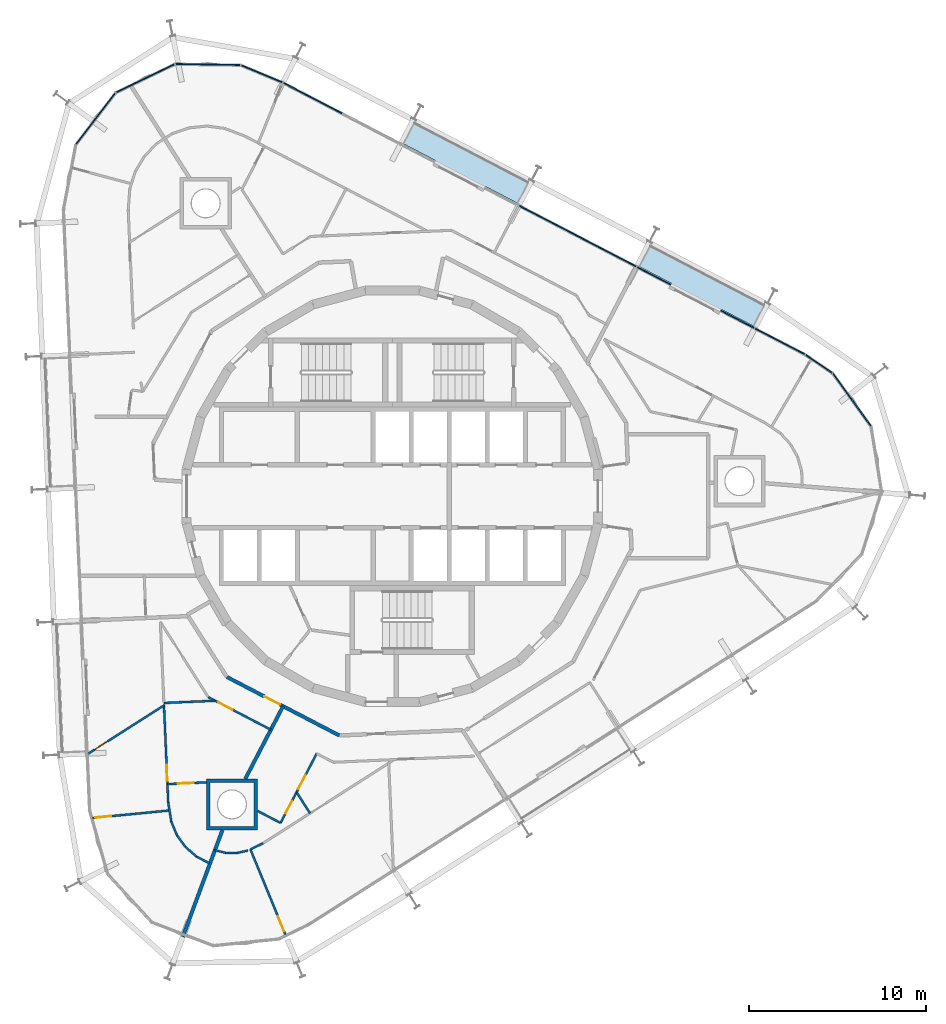
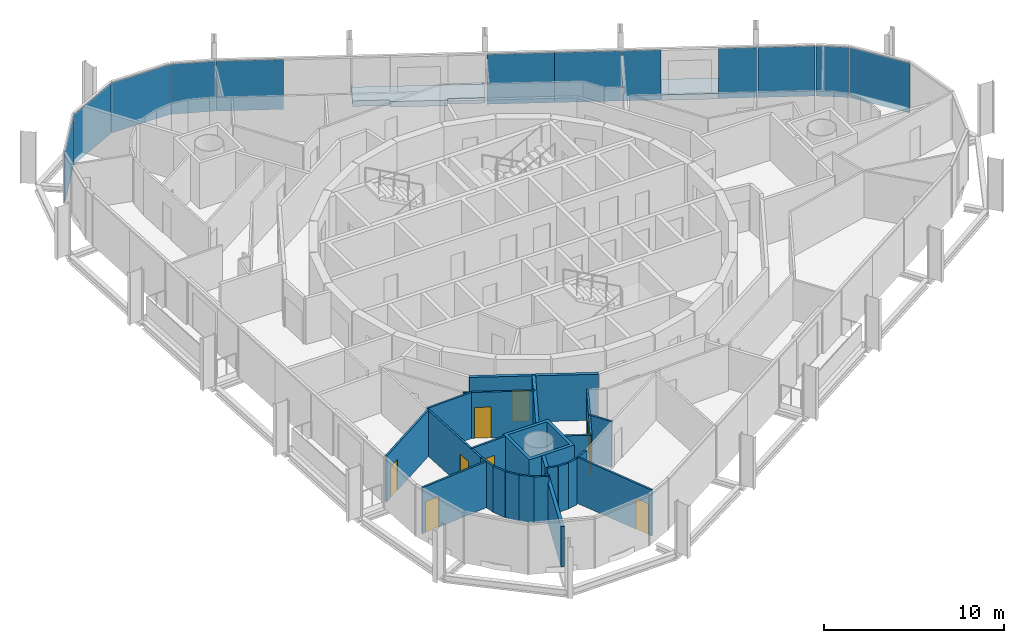
# One storey, part 11 of 18: 24 walls, 12 plates, 9 doors, 2 slabs, 9 openings, 3 elements without a shape of their own.
"""IFC4 building model written with IfcOpenShell, lengths in metres."""

from ifc_helpers import new_model, si_unit, direction, frame, frame_2d, origin, origin_2d, place, context, subcontext, project, spatial, polyline, rectangle, outline, extrude, material, layer, layer_set, type_object, element, fill, aggregate, save


model = new_model("IFC4")

# Units and contexts
model_context = context("Model", 3, precision=1e-05, world=origin(), true_north=direction((0.0, 1.0)))
body_context = subcontext(model_context, "Body", "Model", "MODEL_VIEW")
ifc_project = project(units=[si_unit("LENGTHUNIT", "METRE"), si_unit("AREAUNIT", "SQUARE_METRE"), si_unit("VOLUMEUNIT", "CUBIC_METRE"), si_unit("PLANEANGLEUNIT", "RADIAN"), si_unit("MASSUNIT", "GRAM", prefix="KILO")], contexts=[model_context])

# Site, building, storey
site_placement = place(None, origin())
site = spatial("IfcSite", under=ifc_project, at=site_placement, CompositionType="ELEMENT")
building_placement = place(site_placement, origin())
building = spatial("IfcBuilding", under=site, at=building_placement, Name="Spindle Arch Residences", CompositionType="ELEMENT")
storey_placement = place(building_placement, frame((0.0, 0.0, 230.199951171875)))
storey = spatial("IfcBuildingStorey", under=building, at=storey_placement, Name="L58", CompositionType="ELEMENT", Elevation=230.199951171875)

# Slabs
ifc_material_1 = material(Name="Concrete C40/50", Category="concrete")
ifc_layer_1 = layer(ifc_material_1, 0.3798828125)
ifc_layer_set_1 = layer_set([ifc_layer_1], Name="Balcony slab 380")
slab_type = type_object("IfcSlabType", Name="Balcony slab 380", PredefinedType="FLOOR", material=ifc_layer_set_1)
slab_1_placement = place(storey_placement, frame((0.0, 0.0, -0.3798828125)))
element("IfcSlab", 1, at=slab_1_placement, inside=storey, type_object=slab_type, Name="Balcony L58 bay 6", PredefinedType="FLOOR", context=body_context, shape_type="SweptSolid", body=[
    extrude(outline(polyline([(21.175537109375, 10.94287109375), (21.109130859375, 10.9775390625), (21.039794921875, 10.844482421875), (14.626708984375, 14.18310546875), (14.696044921875, 14.316162109375), (14.62939453125, 14.3505859375), (13.94140625, 13.029052734375), (15.79541015625, 12.06396484375), (15.721435546875, 11.922119140625), (18.559814453125, 10.444580078125), (18.6337890625, 10.58642578125), (20.487548828125, 9.621337890625), (21.175537109375, 10.94287109375)])), origin(), (0.0, 0.0, 1.0), 0.3798828125),
])
slab_2_placement = place(storey_placement, frame((0.0, 0.0, -0.3798828125)))
element("IfcSlab", 2, at=slab_2_placement, inside=storey, type_object=slab_type, Name="Balcony L58 bay 8", PredefinedType="FLOOR", context=body_context, shape_type="SweptSolid", body=[
    extrude(outline(polyline([(7.817138671875, 17.89697265625), (7.75048828125, 17.931640625), (7.681396484375, 17.798583984375), (1.268310546875, 21.136962890625), (1.33740234375, 21.27001953125), (1.27099609375, 21.3046875), (0.5830078125, 19.983154296875), (2.436767578125, 19.01806640625), (2.363037109375, 18.8759765625), (5.201416015625, 17.3984375), (5.275146484375, 17.540283203125), (7.129150390625, 16.5751953125), (7.817138671875, 17.89697265625)])), origin(), (0.0, 0.0, 1.0), 0.3798828125),
])

# Curtain wall, plates
ifc_material_2 = material(Name="Aluminium bronze unitised frame with tinted glass", Category="aluminium")
ifc_layer_2 = layer(ifc_material_2, 0.159912109375)
ifc_layer_set_2 = layer_set([ifc_layer_2], Name="CW-D corner wall on the fillet arcs")
curtain_wall_type_1 = type_object("IfcCurtainWallType", Name="CW-D corner wall on the fillet arcs", PredefinedType="NOTDEFINED", material=ifc_layer_set_2)
curtain_wall_1_placement = place(storey_placement, origin())
curtain_wall_1 = element("IfcCurtainWall", 3, at=curtain_wall_1_placement, inside=storey, type_object=curtain_wall_type_1, Name="CW-D L58 run 1", PredefinedType="NOTDEFINED")
ifc_material_3 = material(Name="Tinted double glazing over non-combustible spandrel zone with 0.55 mm stainless steel cavity fire stop (K0)", Category="steel")
ifc_layer_3 = layer(ifc_material_3, 0.070068359375)
ifc_layer_set_3 = layer_set([ifc_layer_3], Name="Unitised glass panel with spandrel zone and stainless cavity fire stop")
plate_type = type_object("IfcPlateType", Name="Unitised glass panel with spandrel zone and stainless cavity fire stop", PredefinedType="CURTAIN_PANEL", material=ifc_layer_set_3)
plate_1_placement = place(storey_placement, frame((26.024169921875, 5.460693359375, -0.3798828125), z_axis=(0.0, 0.0, 1.0), x_axis=(-0.585429431289, 0.810723368962, 0.0)))
plate_1 = element("IfcPlate", 4, at=plate_1_placement, type_object=plate_type, Name="CW-D unit 04", PredefinedType="CURTAIN_PANEL", context=body_context, shape_type="SweptSolid", body=[
    extrude(rectangle(XDim=3.666748046875, YDim=0.070068359375, at=origin_2d()), origin(), (0.0, 0.0, 1.0), 3.3798828125),
])
plate_2_placement = place(storey_placement, frame((24.156982421875, 7.498291015625, -0.3798828125), z_axis=(0.0, 0.0, 1.0), x_axis=(-0.827407441981, 0.561602105546, 0.0)))
plate_2 = element("IfcPlate", 5, at=plate_2_placement, type_object=plate_type, Name="CW-D unit 05", PredefinedType="CURTAIN_PANEL", context=body_context, shape_type="SweptSolid", body=[
    extrude(rectangle(XDim=1.816162109375, YDim=0.070068359375, at=origin_2d()), origin(), (0.0, 0.0, 1.0), 3.3798828125),
])
plate_3_placement = place(storey_placement, frame((21.948974609375, 8.770263671875, -0.3798828125), z_axis=(0.0, 0.0, 1.0), x_axis=(-0.887010833178, 0.461748613235, 0.0)))
plate_3 = element("IfcPlate", 6, at=plate_3_placement, type_object=plate_type, Name="CW-D unit 06", PredefinedType="CURTAIN_PANEL", context=body_context, shape_type="SweptSolid", body=[
    extrude(rectangle(XDim=3.16845703125, YDim=0.070068359375, at=origin_2d()), origin(), (0.0, 0.0, 1.0), 3.3798828125),
])
aggregate(curtain_wall_1, [plate_1, plate_2, plate_3])

ifc_material_4 = material(Name="Aluminium bronze unitised frame with tinted glass", Category="aluminium")
ifc_layer_4 = layer(ifc_material_4, 0.159912109375)
ifc_layer_set_4 = layer_set([ifc_layer_4], Name="CW-C typical residential unitised wall")
curtain_wall_type_2 = type_object("IfcCurtainWallType", Name="CW-C typical residential unitised wall", PredefinedType="NOTDEFINED", material=ifc_layer_set_4)
curtain_wall_2_placement = place(storey_placement, origin())
curtain_wall_2 = element("IfcCurtainWall", 7, at=curtain_wall_2_placement, inside=storey, type_object=curtain_wall_type_2, Name="CW-C L58 run 2", PredefinedType="NOTDEFINED")
plate_4_placement = place(storey_placement, frame((19.543701171875, 10.0224609375, -0.3798828125), z_axis=(0.0, 0.0, 1.0), x_axis=(-0.887010833178, 0.461748613235, 0.0)))
plate_4 = element("IfcPlate", 8, at=plate_4_placement, type_object=plate_type, Name="CW-C unit 05L", PredefinedType="CURTAIN_PANEL", context=body_context, shape_type="SweptSolid", body=[
    extrude(rectangle(XDim=2.135009765625, YDim=0.070068359375, at=origin_2d()), origin(), (0.0, 0.0, 1.0), 3.3798828125),
])
plate_5_placement = place(storey_placement, frame((14.8115234375, 12.48583984375, -0.3798828125), z_axis=(0.0, 0.0, 1.0), x_axis=(-0.887010833178, 0.461748613235, 0.0)))
plate_5 = element("IfcPlate", 9, at=plate_5_placement, type_object=plate_type, Name="CW-C unit 05R", PredefinedType="CURTAIN_PANEL", context=body_context, shape_type="SweptSolid", body=[
    extrude(rectangle(XDim=2.135009765625, YDim=0.070068359375, at=origin_2d()), origin(), (0.0, 0.0, 1.0), 3.3798828125),
])
plate_6_placement = place(storey_placement, frame((12.15478515625, 13.868896484375, -0.3798828125), z_axis=(0.0, 0.0, 1.0), x_axis=(-0.887010833178, 0.461748613235, 0.0)))
plate_6 = element("IfcPlate", 10, at=plate_6_placement, type_object=plate_type, Name="CW-C unit 06A", PredefinedType="CURTAIN_PANEL", context=body_context, shape_type="SweptSolid", body=[
    extrude(rectangle(XDim=3.735107421875, YDim=0.070068359375, at=origin_2d()), origin(), (0.0, 0.0, 1.0), 3.3798828125),
])
plate_7_placement = place(storey_placement, frame((8.841796875, 15.593505859375, -0.3798828125), z_axis=(0.0, 0.0, 1.0), x_axis=(-0.887010833178, 0.461748613235, 0.0)))
plate_7 = element("IfcPlate", 11, at=plate_7_placement, type_object=plate_type, Name="CW-C unit 06B", PredefinedType="CURTAIN_PANEL", context=body_context, shape_type="SweptSolid", body=[
    extrude(rectangle(XDim=3.735107421875, YDim=0.070068359375, at=origin_2d()), origin(), (0.0, 0.0, 1.0), 3.3798828125),
])
plate_8_placement = place(storey_placement, frame((-4.5166015625, 22.547607421875, -0.3798828125), z_axis=(0.0, 0.0, 1.0), x_axis=(-0.887010833178, 0.461748613235, 0.0)))
plate_8 = element("IfcPlate", 12, at=plate_8_placement, type_object=plate_type, Name="CW-C unit 08B", PredefinedType="CURTAIN_PANEL", context=body_context, shape_type="SweptSolid", body=[
    extrude(rectangle(XDim=3.735107421875, YDim=0.070068359375, at=origin_2d()), origin(), (0.0, 0.0, 1.0), 3.3798828125),
])
aggregate(curtain_wall_2, [plate_4, plate_5, plate_6, plate_7, plate_8])

curtain_wall_3_placement = place(storey_placement, origin())
curtain_wall_3 = element("IfcCurtainWall", 13, at=curtain_wall_3_placement, inside=storey, type_object=curtain_wall_type_1, Name="CW-D L58 run 3", PredefinedType="NOTDEFINED")
plate_9_placement = place(storey_placement, frame((-7.39501953125, 23.923095703125, -0.3798828125), z_axis=(0.0, 0.0, 1.0), x_axis=(-0.92268610302, 0.385552013734, 0.0)))
plate_9 = element("IfcPlate", 14, at=plate_9_placement, type_object=plate_type, Name="CW-D unit 00", PredefinedType="CURTAIN_PANEL", context=body_context, shape_type="SweptSolid", body=[
    extrude(rectangle(XDim=2.531005859375, YDim=0.070068359375, at=origin_2d()), origin(), (0.0, 0.0, 1.0), 3.3798828125),
])
plate_10_placement = place(storey_placement, frame((-10.45361328125, 24.44970703125, -0.3798828125), z_axis=(0.0, 0.0, 1.0), x_axis=(-0.999894231949, 0.014543896145, 0.0)))
plate_10 = element("IfcPlate", 15, at=plate_10_placement, type_object=plate_type, Name="CW-D unit 01", PredefinedType="CURTAIN_PANEL", context=body_context, shape_type="SweptSolid", body=[
    extrude(rectangle(XDim=3.666748046875, YDim=0.070068359375, at=origin_2d()), origin(), (0.0, 0.0, 1.0), 3.3798828125),
])
plate_11_placement = place(storey_placement, frame((-13.993896484375, 23.664794921875, -0.3798828125), z_axis=(0.0, 0.0, 1.0), x_axis=(-0.900065409075, -0.435754815677, 0.0)))
plate_11 = element("IfcPlate", 16, at=plate_11_placement, type_object=plate_type, Name="CW-D unit 02", PredefinedType="CURTAIN_PANEL", context=body_context, shape_type="SweptSolid", body=[
    extrude(rectangle(XDim=3.666748046875, YDim=0.070068359375, at=origin_2d()), origin(), (0.0, 0.0, 1.0), 3.3798828125),
])
plate_12_placement = place(storey_placement, frame((-16.805419921875, 21.37451171875, -0.3798828125), z_axis=(0.0, 0.0, 1.0), x_axis=(-0.60876142329, -0.793353344679, 0.0)))
plate_12 = element("IfcPlate", 17, at=plate_12_placement, type_object=plate_type, Name="CW-D unit 03", PredefinedType="CURTAIN_PANEL", context=body_context, shape_type="SweptSolid", body=[
    extrude(rectangle(XDim=3.666748046875, YDim=0.070068359375, at=origin_2d()), origin(), (0.0, 0.0, 1.0), 3.3798828125),
])
aggregate(curtain_wall_3, [plate_9, plate_10, plate_11, plate_12])

# Wall, opening, door
ifc_material_5 = material(Name="Calcium silicate block, plastered")
ifc_layer_5 = layer(ifc_material_5, 0.199951171875)
ifc_layer_set_5 = layer_set([ifc_layer_5], Name="Corridor wall 200")
wall_type_1 = type_object("IfcWallType", Name="Corridor wall 200", PredefinedType="STANDARD", material=ifc_layer_set_5)
wall_1_placement = place(storey_placement, frame((-9.372314453125, -10.22802734375, 0.0), z_axis=(0.0, 0.0, 1.0), x_axis=(0.887005184532, -0.461759464021, 0.0)))
wall_1 = element("IfcWall", 18, at=wall_1_placement, inside=storey, type_object=wall_type_1, Name="Corridor wall R6A1-W019", PredefinedType="STANDARD", context=body_context, shape_type="SweptSolid", body=[
    extrude(rectangle(XDim=7.18115234375, YDim=0.199951171875, at=frame_2d((3.590576171875, 0.0))), origin(), (0.0, 0.0, 1.0), 3.1201171875),
])
opening_1_placement = place(wall_1_placement, frame((2.390625, 0.0, 0.0)))
opening_1 = element("IfcOpeningElement", 19, at=opening_1_placement, cuts=wall_1, Name="Opening R6A1-FD04", PredefinedType="OPENING", context=body_context, shape_type="SweptSolid", body=[
    extrude(rectangle(XDim=1.0, YDim=2.10009765625, at=frame_2d((0.5, 1.050048828125))), frame((0.0, 0.10986328125, 0.0), z_axis=(0.0, -1.0, 0.0), x_axis=(1.0, 0.0, 0.0)), (0.0, 0.0, 1.0), 0.219970703125),
])
ifc_material_6 = material(Name="Timber, fire-resisting door set", Category="wood")
door_type_1 = type_object("IfcDoorType", Name="Flat entrance door 1000x2100", OperationType="NOTDEFINED", PredefinedType="DOOR", material=ifc_material_6)
door_1_placement = place(opening_1_placement, origin())
door_1 = element("IfcDoor", 20, at=door_1_placement, inside=storey, type_object=door_type_1, Name="Flat entrance door R6A1-FD04", OperationType="SINGLE_SWING_RIGHT", OverallHeight=2.10009765625, OverallWidth=1.0, PredefinedType="DOOR", context=body_context, shape_type="SweptSolid", body=[
    extrude(rectangle(XDim=1.0, YDim=2.10009765625, at=frame_2d((0.5, 1.050048828125))), frame((0.0, 0.02490234375, 0.0), z_axis=(0.0, -1.0, 0.0), x_axis=(1.0, 0.0, 0.0)), (0.0, 0.0, 1.0), 0.050048828125),
])
fill(opening_1, door_1)

ifc_material_7 = material(Name="Plasterboard on steel studs", Category="steel")
ifc_layer_6 = layer(ifc_material_7, 0.1201171875)
ifc_layer_set_6 = layer_set([ifc_layer_6], Name="Flat partition 120")
wall_type_2 = type_object("IfcWallType", Name="Flat partition 120", PredefinedType="PARTITIONING", material=ifc_layer_set_6)
wall_2_placement = place(storey_placement, frame((-10.42138671875, -11.373046875, 0.0), z_axis=(0.0, 0.0, 1.0), x_axis=(0.887006451745, -0.461757029792, 0.0)))
wall_2 = element("IfcWall", 21, at=wall_2_placement, inside=storey, type_object=wall_type_2, Name="Flat partition R6A1-W084", PredefinedType="PARTITIONING", context=body_context, shape_type="SweptSolid", body=[
    extrude(rectangle(XDim=3.992431640625, YDim=0.1201171875, at=frame_2d((1.99609375, 0.0))), origin(), (0.0, 0.0, 1.0), 3.1201171875),
])
opening_2_placement = place(wall_2_placement, frame((0.639404296875, 0.0, 0.0)))
opening_2 = element("IfcOpeningElement", 22, at=opening_2_placement, cuts=wall_2, Name="Opening R6A1-ID14", PredefinedType="OPENING", context=body_context, shape_type="SweptSolid", body=[
    extrude(rectangle(XDim=0.89990234375, YDim=2.10009765625, at=frame_2d((0.449951171875, 1.050048828125))), frame((0.0, 0.070068359375, 0.0), z_axis=(0.0, -1.0, 0.0), x_axis=(1.0, 0.0, 0.0)), (0.0, 0.0, 1.0), 0.14013671875),
])
ifc_material_8 = material(Name="Timber door set", Category="wood")
door_type_2 = type_object("IfcDoorType", Name="Room door 900x2100", OperationType="NOTDEFINED", PredefinedType="DOOR", material=ifc_material_8)
door_2_placement = place(opening_2_placement, origin())
door_2 = element("IfcDoor", 23, at=door_2_placement, inside=storey, type_object=door_type_2, Name="Room door R6A1-ID14", OperationType="SINGLE_SWING_RIGHT", OverallHeight=2.10009765625, OverallWidth=0.89990234375, PredefinedType="DOOR", context=body_context, shape_type="SweptSolid", body=[
    extrude(rectangle(XDim=0.89990234375, YDim=2.10009765625, at=frame_2d((0.449951171875, 1.050048828125))), frame((0.0, 0.02490234375, 0.0), z_axis=(0.0, -1.0, 0.0), x_axis=(1.0, 0.0, 0.0)), (0.0, 0.0, 1.0), 0.050048828125),
])
fill(opening_2, door_2)

wall_3_placement = place(storey_placement, frame((-17.215087890625, -14.56982421875, 0.0), z_axis=(0.0, 0.0, 1.0), x_axis=(0.843396239681, 0.537292083407, 0.0)))
wall_3 = element("IfcWall", 24, at=wall_3_placement, inside=storey, type_object=wall_type_2, Name="Flat partition R6A1-W086", PredefinedType="PARTITIONING", context=body_context, shape_type="SweptSolid", body=[
    extrude(rectangle(XDim=5.08056640625, YDim=0.1201171875, at=frame_2d((2.540283203125, 0.0))), origin(), (0.0, 0.0, 1.0), 3.1201171875),
])
opening_3_placement = place(wall_3_placement, frame((0.39990234375, 0.0, 0.0)))
opening_3 = element("IfcOpeningElement", 25, at=opening_3_placement, cuts=wall_3, Name="Opening R6A1-ID17", PredefinedType="OPENING", context=body_context, shape_type="SweptSolid", body=[
    extrude(rectangle(XDim=0.89990234375, YDim=2.10009765625, at=frame_2d((0.449951171875, 1.050048828125))), frame((0.0, 0.070068359375, 0.0), z_axis=(0.0, -1.0, 0.0), x_axis=(1.0, 0.0, 0.0)), (0.0, 0.0, 1.0), 0.14013671875),
])
door_3_placement = place(opening_3_placement, origin())
door_3 = element("IfcDoor", 26, at=door_3_placement, inside=storey, type_object=door_type_2, Name="Room door R6A1-ID17", OperationType="SINGLE_SWING_LEFT", OverallHeight=2.10009765625, OverallWidth=0.89990234375, PredefinedType="DOOR", context=body_context, shape_type="SweptSolid", body=[
    extrude(rectangle(XDim=0.89990234375, YDim=2.10009765625, at=frame_2d((0.449951171875, 1.050048828125))), frame((0.0, 0.02490234375, 0.0), z_axis=(0.0, -1.0, 0.0), x_axis=(1.0, 0.0, 0.0)), (0.0, 0.0, 1.0), 0.050048828125),
])
fill(opening_3, door_3)

# Wall
wall_4_placement = place(storey_placement, frame((-12.936279296875, -11.70263671875, 0.0), z_axis=(0.0, 0.0, 1.0), x_axis=(0.999046310188, 0.043663143495, 0.0)))
element("IfcWall", 27, at=wall_4_placement, inside=storey, type_object=wall_type_2, Name="Flat partition R6A1-W087", PredefinedType="PARTITIONING", context=body_context, shape_type="SweptSolid", body=[
    extrude(rectangle(XDim=2.907470703125, YDim=0.1201171875, at=frame_2d((1.45361328125, 0.0))), origin(), (0.0, 0.0, 1.0), 3.1201171875),
])

# Wall, opening, door
wall_5_placement = place(storey_placement, frame((-12.689697265625, -17.347412109375, 0.0), z_axis=(0.0, 0.0, 1.0), x_axis=(-0.043618497177, 0.999048260448, 0.0)))
wall_5 = element("IfcWall", 28, at=wall_5_placement, inside=storey, type_object=wall_type_2, Name="Flat partition R6A1-W088", PredefinedType="PARTITIONING", context=body_context, shape_type="SweptSolid", body=[
    extrude(rectangle(XDim=5.552490234375, YDim=0.1201171875, at=frame_2d((2.7763671875, 0.0))), origin(), (0.0, 0.0, 1.0), 3.1201171875),
])
opening_4_placement = place(wall_5_placement, frame((1.25390625, 0.0, 0.0)))
opening_4 = element("IfcOpeningElement", 29, at=opening_4_placement, cuts=wall_5, Name="Opening R6A1-ID15", PredefinedType="OPENING", context=body_context, shape_type="SweptSolid", body=[
    extrude(rectangle(XDim=0.89990234375, YDim=2.10009765625, at=frame_2d((0.449951171875, 1.050048828125))), frame((0.0, 0.070068359375, 0.0), z_axis=(0.0, -1.0, 0.0), x_axis=(1.0, 0.0, 0.0)), (0.0, 0.0, 1.0), 0.14013671875),
])
door_4_placement = place(opening_4_placement, origin())
door_4 = element("IfcDoor", 30, at=door_4_placement, inside=storey, type_object=door_type_2, Name="Room door R6A1-ID15", OperationType="SINGLE_SWING_RIGHT", OverallHeight=2.10009765625, OverallWidth=0.89990234375, PredefinedType="DOOR", context=body_context, shape_type="SweptSolid", body=[
    extrude(rectangle(XDim=0.89990234375, YDim=2.10009765625, at=frame_2d((0.449951171875, 1.050048828125))), frame((0.0, 0.02490234375, 0.0), z_axis=(0.0, -1.0, 0.0), x_axis=(1.0, 0.0, 0.0)), (0.0, 0.0, 1.0), 0.050048828125),
])
fill(opening_4, door_4)

wall_6_placement = place(storey_placement, frame((-17.006591796875, -18.215576171875, 0.0), z_axis=(0.0, 0.0, 1.0), x_axis=(0.995320337688, 0.09663035436, 0.0)))
wall_6 = element("IfcWall", 31, at=wall_6_placement, inside=storey, type_object=wall_type_2, Name="Flat partition R6A1-W089", PredefinedType="PARTITIONING", context=body_context, shape_type="SweptSolid", body=[
    extrude(rectangle(XDim=4.408935546875, YDim=0.1201171875, at=frame_2d((2.20458984375, 0.0))), origin(), (0.0, 0.0, 1.0), 3.1201171875),
])
opening_5_placement = place(wall_6_placement, frame((0.199951171875, 0.0, 0.0)))
opening_5 = element("IfcOpeningElement", 32, at=opening_5_placement, cuts=wall_6, Name="Opening R6A1-ID18", PredefinedType="OPENING", context=body_context, shape_type="SweptSolid", body=[
    extrude(rectangle(XDim=0.89990234375, YDim=2.10009765625, at=frame_2d((0.449951171875, 1.050048828125))), frame((0.0, 0.070068359375, 0.0), z_axis=(0.0, -1.0, 0.0), x_axis=(1.0, 0.0, 0.0)), (0.0, 0.0, 1.0), 0.14013671875),
])
door_5_placement = place(opening_5_placement, origin())
door_5 = element("IfcDoor", 33, at=door_5_placement, inside=storey, type_object=door_type_2, Name="Room door R6A1-ID18", OperationType="SINGLE_SWING_RIGHT", OverallHeight=2.10009765625, OverallWidth=0.89990234375, PredefinedType="DOOR", context=body_context, shape_type="SweptSolid", body=[
    extrude(rectangle(XDim=0.89990234375, YDim=2.10009765625, at=frame_2d((0.449951171875, 1.050048828125))), frame((0.0, 0.02490234375, 0.0), z_axis=(0.0, -1.0, 0.0), x_axis=(1.0, 0.0, 0.0)), (0.0, 0.0, 1.0), 0.050048828125),
])
fill(opening_5, door_5)

# Wall
wall_7_placement = place(storey_placement, frame((-12.5166015625, -18.42041015625, 0.0), z_axis=(0.0, 0.0, 1.0), x_axis=(-0.159260688022, 0.987236563976, 0.0)))
element("IfcWall", 34, at=wall_7_placement, inside=storey, type_object=wall_type_2, Name="Flat partition R6A1-W090", PredefinedType="PARTITIONING", context=body_context, shape_type="SweptSolid", body=[
    extrude(rectangle(XDim=1.0869140625, YDim=0.1201171875, at=frame_2d((0.54345703125, 0.0))), origin(), (0.0, 0.0, 1.0), 3.1201171875),
])

# Wall, opening, door
wall_8_placement = place(storey_placement, frame((-12.735595703125, -16.294677734375, 0.0), z_axis=(0.0, 0.0, 1.0), x_axis=(0.999043796611, 0.043720618177, 0.0)))
wall_8 = element("IfcWall", 35, at=wall_8_placement, inside=storey, type_object=wall_type_2, Name="Flat partition R6A1-W091", PredefinedType="PARTITIONING", context=body_context, shape_type="SweptSolid", body=[
    extrude(rectangle(XDim=2.205810546875, YDim=0.1201171875, at=frame_2d((1.10302734375, 0.0))), origin(), (0.0, 0.0, 1.0), 3.1201171875),
])
opening_6_placement = place(wall_8_placement, frame((0.60009765625, 0.0, 0.0)))
opening_6 = element("IfcOpeningElement", 36, at=opening_6_placement, cuts=wall_8, Name="Opening R6A1-ID16", PredefinedType="OPENING", context=body_context, shape_type="SweptSolid", body=[
    extrude(rectangle(XDim=0.89990234375, YDim=2.10009765625, at=frame_2d((0.449951171875, 1.050048828125))), frame((0.0, 0.070068359375, 0.0), z_axis=(0.0, -1.0, 0.0), x_axis=(1.0, 0.0, 0.0)), (0.0, 0.0, 1.0), 0.14013671875),
])
door_6_placement = place(opening_6_placement, origin())
door_6 = element("IfcDoor", 37, at=door_6_placement, inside=storey, type_object=door_type_2, Name="Room door R6A1-ID16", OperationType="SINGLE_SWING_RIGHT", OverallHeight=2.10009765625, OverallWidth=0.89990234375, PredefinedType="DOOR", context=body_context, shape_type="SweptSolid", body=[
    extrude(rectangle(XDim=0.89990234375, YDim=2.10009765625, at=frame_2d((0.449951171875, 1.050048828125))), frame((0.0, 0.02490234375, 0.0), z_axis=(0.0, -1.0, 0.0), x_axis=(1.0, 0.0, 0.0)), (0.0, 0.0, 1.0), 0.050048828125),
])
fill(opening_6, door_6)

# Walls
for number, where, z_axis, x_axis, name in (
    (38, (-10.351806640625, -20.782958984375, 0.0), (0.0, 0.0, 1.0), (-0.886941739106, 0.461881317475, 0.0), "Flat partition R6A1-W092"),
    (39, (-11.0869140625, -20.400146484375, 0.0), (0.0, 0.0, 1.0), (-0.756776639981, 0.653673555515, 0.0), "Flat partition R6A1-W093"),
):
    element("IfcWall", number, at=place(storey_placement, frame(where, z_axis=z_axis, x_axis=x_axis)), inside=storey, type_object=wall_type_2, Name=name, PredefinedType="PARTITIONING", context=body_context, shape_type="SweptSolid", body=[
        extrude(rectangle(XDim=0.828857421875, YDim=0.1201171875, at=frame_2d((0.41455078125, 0.0))), origin(), (0.0, 0.0, 1.0), 3.1201171875),
    ])
wall_9_placement = place(storey_placement, frame((-11.714111328125, -19.8583984375, 0.0), z_axis=(0.0, 0.0, 1.0), x_axis=(-0.585436792562, 0.810718053281, 0.0)))
element("IfcWall", 40, at=wall_9_placement, inside=storey, type_object=wall_type_2, Name="Flat partition R6A1-W094", PredefinedType="PARTITIONING", context=body_context, shape_type="SweptSolid", body=[
    extrude(rectangle(XDim=0.8291015625, YDim=0.1201171875, at=frame_2d((0.41455078125, 0.0))), origin(), (0.0, 0.0, 1.0), 3.1201171875),
])
wall_10_placement = place(storey_placement, frame((-12.199462890625, -19.186279296875, 0.0), z_axis=(0.0, 0.0, 1.0), x_axis=(-0.382585904135, 0.923919923996, 0.0)))
element("IfcWall", 41, at=wall_10_placement, inside=storey, type_object=wall_type_2, Name="Flat partition R6A1-W095", PredefinedType="PARTITIONING", context=body_context, shape_type="SweptSolid", body=[
    extrude(rectangle(XDim=0.828857421875, YDim=0.1201171875, at=frame_2d((0.41455078125, 0.0))), origin(), (0.0, 0.0, 1.0), 3.1201171875),
])
wall_11_placement = place(storey_placement, frame((-7.632080078125, -17.815185546875, 0.0), z_axis=(0.0, 0.0, 1.0), x_axis=(0.886960889958, -0.461844540602, 0.0)))
element("IfcWall", 42, at=wall_11_placement, inside=storey, type_object=wall_type_2, Name="Flat partition R6A1-W096", PredefinedType="PARTITIONING", context=body_context, shape_type="SweptSolid", body=[
    extrude(rectangle(XDim=1.468994140625, YDim=0.1201171875, at=frame_2d((0.734375, 0.0))), origin(), (0.0, 0.0, 1.0), 3.1201171875),
])

# Wall, openings, doors
wall_12_placement = place(storey_placement, frame((-6.3291015625, -18.49365234375, 0.0), z_axis=(0.0, 0.0, 1.0), x_axis=(0.461759058182, 0.887005395805, 0.0)))
wall_12 = element("IfcWall", 43, at=wall_12_placement, inside=storey, type_object=wall_type_2, Name="Flat partition R6A1-W097", PredefinedType="PARTITIONING", context=body_context, shape_type="SweptSolid", body=[
    extrude(rectangle(XDim=4.426513671875, YDim=0.1201171875, at=frame_2d((2.21337890625, 0.0))), origin(), (0.0, 0.0, 1.0), 3.1201171875),
])
opening_7_placement = place(wall_12_placement, frame((0.60009765625, 0.0, 0.0)))
opening_7 = element("IfcOpeningElement", 44, at=opening_7_placement, cuts=wall_12, Name="Opening R6A1-BD06", PredefinedType="OPENING", context=body_context, shape_type="SweptSolid", body=[
    extrude(rectangle(XDim=0.800048828125, YDim=2.10009765625, at=frame_2d((0.39990234375, 1.050048828125))), frame((0.0, 0.070068359375, 0.0), z_axis=(0.0, -1.0, 0.0), x_axis=(1.0, 0.0, 0.0)), (0.0, 0.0, 1.0), 0.14013671875),
])
opening_8_placement = place(wall_12_placement, frame((2.160888671875, 0.0, 0.0)))
opening_8 = element("IfcOpeningElement", 45, at=opening_8_placement, cuts=wall_12, Name="Opening R6A1-ID19", PredefinedType="OPENING", context=body_context, shape_type="SweptSolid", body=[
    extrude(rectangle(XDim=0.89990234375, YDim=2.10009765625, at=frame_2d((0.449951171875, 1.050048828125))), frame((0.0, 0.070068359375, 0.0), z_axis=(0.0, -1.0, 0.0), x_axis=(1.0, 0.0, 0.0)), (0.0, 0.0, 1.0), 0.14013671875),
])
ifc_material_9 = material(Name="Timber door set", Category="wood")
door_type_3 = type_object("IfcDoorType", Name="Bathroom door 800x2100", OperationType="NOTDEFINED", PredefinedType="DOOR", material=ifc_material_9)
door_7_placement = place(opening_7_placement, origin())
door_7 = element("IfcDoor", 46, at=door_7_placement, inside=storey, type_object=door_type_3, Name="Bathroom door R6A1-BD06", OperationType="SINGLE_SWING_LEFT", OverallHeight=2.10009765625, OverallWidth=0.800048828125, PredefinedType="DOOR", context=body_context, shape_type="SweptSolid", body=[
    extrude(rectangle(XDim=0.800048828125, YDim=2.10009765625, at=frame_2d((0.39990234375, 1.050048828125))), frame((0.0, 0.02490234375, 0.0), z_axis=(0.0, -1.0, 0.0), x_axis=(1.0, 0.0, 0.0)), (0.0, 0.0, 1.0), 0.050048828125),
])
fill(opening_7, door_7)
door_8_placement = place(opening_8_placement, origin())
door_8 = element("IfcDoor", 47, at=door_8_placement, inside=storey, type_object=door_type_2, Name="Room door R6A1-ID19", OperationType="SINGLE_SWING_LEFT", OverallHeight=2.10009765625, OverallWidth=0.89990234375, PredefinedType="DOOR", context=body_context, shape_type="SweptSolid", body=[
    extrude(rectangle(XDim=0.89990234375, YDim=2.10009765625, at=frame_2d((0.449951171875, 1.050048828125))), frame((0.0, 0.02490234375, 0.0), z_axis=(0.0, -1.0, 0.0), x_axis=(1.0, 0.0, 0.0)), (0.0, 0.0, 1.0), 0.050048828125),
])
fill(opening_8, door_8)

# Walls
wall_13_placement = place(storey_placement, frame((-10.0439453125, -20.03564453125, 0.0), z_axis=(0.0, 0.0, 1.0), x_axis=(0.969630684539, -0.24457378355, 0.0)))
element("IfcWall", 48, at=wall_13_placement, inside=storey, type_object=wall_type_2, Name="Flat partition R6A1-W100", PredefinedType="PARTITIONING", context=body_context, shape_type="SweptSolid", body=[
    extrude(rectangle(XDim=0.619873046875, YDim=0.1201171875, at=frame_2d((0.31005859375, 0.0))), origin(), (0.0, 0.0, 1.0), 3.1201171875),
])
for number, where, z_axis, x_axis, name in (
    (49, (-9.44287109375, -20.187255859375, 0.0), (0.0, 0.0, 1.0), (0.999895554921, -0.014452655415, 0.0), "Flat partition R6A1-W101"),
    (50, (-8.801025390625, -20.196533203125, 0.0), (0.0, 0.0, 1.0), (0.976303255585, 0.216406915632, 0.0), "Flat partition R6A1-W102"),
):
    element("IfcWall", number, at=place(storey_placement, frame(where, z_axis=z_axis, x_axis=x_axis)), inside=storey, type_object=wall_type_2, Name=name, PredefinedType="PARTITIONING", context=body_context, shape_type="SweptSolid", body=[
        extrude(rectangle(XDim=0.641845703125, YDim=0.1201171875, at=frame_2d((0.32080078125, 0.0))), origin(), (0.0, 0.0, 1.0), 3.1201171875),
    ])
wall_14_placement = place(storey_placement, frame((-4.661865234375, -17.9501953125, 0.0), z_axis=(0.0, 0.0, 1.0), x_axis=(-0.537254271207, 0.843420327043, 0.0)))
element("IfcWall", 51, at=wall_14_placement, inside=storey, type_object=wall_type_2, Name="Flat partition R6A1-W103", PredefinedType="PARTITIONING", context=body_context, shape_type="SweptSolid", body=[
    extrude(rectangle(XDim=1.417724609375, YDim=0.1201171875, at=frame_2d((0.708984375, 0.0))), origin(), (0.0, 0.0, 1.0), 3.1201171875),
])
wall_15_placement = place(storey_placement, frame((-8.03662109375, -19.990966796875, 0.0), z_axis=(0.0, 0.0, 1.0), x_axis=(0.900073671326, 0.435737749323, 0.0)))
element("IfcWall", 52, at=wall_15_placement, inside=storey, type_object=wall_type_2, Name="Flat partition R6A1-W104", PredefinedType="PARTITIONING", context=body_context, shape_type="SweptSolid", body=[
    extrude(rectangle(XDim=0.7939453125, YDim=0.1201171875, at=frame_2d((0.39697265625, 0.0))), origin(), (0.0, 0.0, 1.0), 3.1201171875),
])

# Wall, opening, door
wall_16_placement = place(storey_placement, frame((-6.056640625, -24.809814453125, 0.0), z_axis=(0.0, 0.0, 1.0), x_axis=(-0.380052033163, 0.924965108579, 0.0)))
wall_16 = element("IfcWall", 53, at=wall_16_placement, inside=storey, type_object=wall_type_2, Name="Flat partition R6A1-W106", PredefinedType="PARTITIONING", context=body_context, shape_type="SweptSolid", body=[
    extrude(rectangle(XDim=5.209716796875, YDim=0.1201171875, at=frame_2d((2.60498046875, 0.0))), origin(), (0.0, 0.0, 1.0), 3.1201171875),
])
opening_9_placement = place(wall_16_placement, frame((0.199951171875, 0.0, 0.0)))
opening_9 = element("IfcOpeningElement", 54, at=opening_9_placement, cuts=wall_16, Name="Opening R6A1-ID22", PredefinedType="OPENING", context=body_context, shape_type="SweptSolid", body=[
    extrude(rectangle(XDim=0.89990234375, YDim=2.10009765625, at=frame_2d((0.449951171875, 1.050048828125))), frame((0.0, 0.070068359375, 0.0), z_axis=(0.0, -1.0, 0.0), x_axis=(1.0, 0.0, 0.0)), (0.0, 0.0, 1.0), 0.14013671875),
])
door_9_placement = place(opening_9_placement, origin())
door_9 = element("IfcDoor", 55, at=door_9_placement, inside=storey, type_object=door_type_2, Name="Room door R6A1-ID22", OperationType="SINGLE_SWING_LEFT", OverallHeight=2.10009765625, OverallWidth=0.89990234375, PredefinedType="DOOR", context=body_context, shape_type="SweptSolid", body=[
    extrude(rectangle(XDim=0.89990234375, YDim=2.10009765625, at=frame_2d((0.449951171875, 1.050048828125))), frame((0.0, 0.02490234375, 0.0), z_axis=(0.0, -1.0, 0.0), x_axis=(1.0, 0.0, 0.0)), (0.0, 0.0, 1.0), 0.050048828125),
])
fill(opening_9, door_9)

# Walls
ifc_material_10 = material(Name="Calcium silicate block, plastered")
ifc_layer_7 = layer(ifc_material_10, 0.199951171875)
ifc_layer_set_7 = layer_set([ifc_layer_7], Name="Flat party wall 200")
wall_type_3 = type_object("IfcWallType", Name="Flat party wall 200", PredefinedType="STANDARD", material=ifc_layer_set_7)
wall_17_placement = place(storey_placement, frame((-8.325927734375, -15.996337890625, 0.0), z_axis=(0.0, 0.0, 1.0), x_axis=(0.461739255077, 0.887015704664, 0.0)))
element("IfcWall", 56, at=wall_17_placement, inside=storey, type_object=wall_type_3, Name="Flat party wall R6A1-W036", PredefinedType="STANDARD", context=body_context, shape_type="SweptSolid", body=[
    extrude(rectangle(XDim=4.63330078125, YDim=0.199951171875, at=frame_2d((2.316650390625, 0.0))), origin(), (0.0, 0.0, 1.0), 3.1201171875),
])
wall_18_placement = place(storey_placement, frame((-10.0439453125, -20.03564453125, 0.0), z_axis=(0.0, 0.0, 1.0), x_axis=(0.348282344491, 0.937389678051, 0.0)))
element("IfcWall", 57, at=wall_18_placement, inside=storey, type_object=wall_type_3, Name="Flat party wall R6A1-W038", PredefinedType="STANDARD", context=body_context, shape_type="SweptSolid", body=[
    extrude(rectangle(XDim=1.215576171875, YDim=0.199951171875, at=frame_2d((0.60791015625, 0.0))), origin(), (0.0, 0.0, 1.0), 3.1201171875),
])
ifc_material_11 = material(Name="Calcium silicate block, plastered")
ifc_layer_8 = layer(ifc_material_11, 0.199951171875)
ifc_layer_set_8 = layer_set([ifc_layer_8], Name="Flat party wall 200 under beam 2730")
wall_type_4 = type_object("IfcWallType", Name="Flat party wall 200 under beam 2730", PredefinedType="STANDARD", material=ifc_layer_set_8)
wall_19_placement = place(storey_placement, frame((-11.865478515625, -24.93896484375, 0.0), z_axis=(0.0, 0.0, 1.0), x_axis=(0.348236919929, 0.937406554062, 0.0)))
element("IfcWall", 58, at=wall_19_placement, inside=storey, type_object=wall_type_4, Name="Flat party wall R6A1-W037", PredefinedType="STANDARD", context=body_context, shape_type="SweptSolid", body=[
    extrude(rectangle(XDim=5.230712890625, YDim=0.199951171875, at=frame_2d((2.615234375, 0.0))), origin(), (0.0, 0.0, 1.0), 2.72998046875),
])
ifc_material_12 = material(Name="Calcium silicate block, plastered")
ifc_layer_9 = layer(ifc_material_12, 0.199951171875)
ifc_layer_set_9 = layer_set([ifc_layer_9], Name="Mega-column casing wall 200")
wall_type_5 = type_object("IfcWallType", Name="Mega-column casing wall 200", PredefinedType="STANDARD", material=ifc_layer_set_9)
wall_20_placement = place(storey_placement, origin())
element("IfcWall", 59, at=wall_20_placement, inside=storey, type_object=wall_type_5, Name="Mega-column casing wall R6A1-WC03", PredefinedType="STANDARD", context=body_context, shape_type="SweptSolid", body=[
    extrude(outline(polyline([(-7.632080078125, -15.996337890625), (-7.632080078125, -18.896240234375), (-10.531982421875, -18.896240234375), (-10.531982421875, -15.996337890625), (-7.632080078125, -15.996337890625)]), holes=[polyline([(-10.33203125, -18.6962890625), (-7.83203125, -18.6962890625), (-7.83203125, -16.1962890625), (-10.33203125, -16.1962890625), (-10.33203125, -18.6962890625)])]), origin(), (0.0, 0.0, 1.0), 3.1201171875),
])

save(model, "model.ifc")
